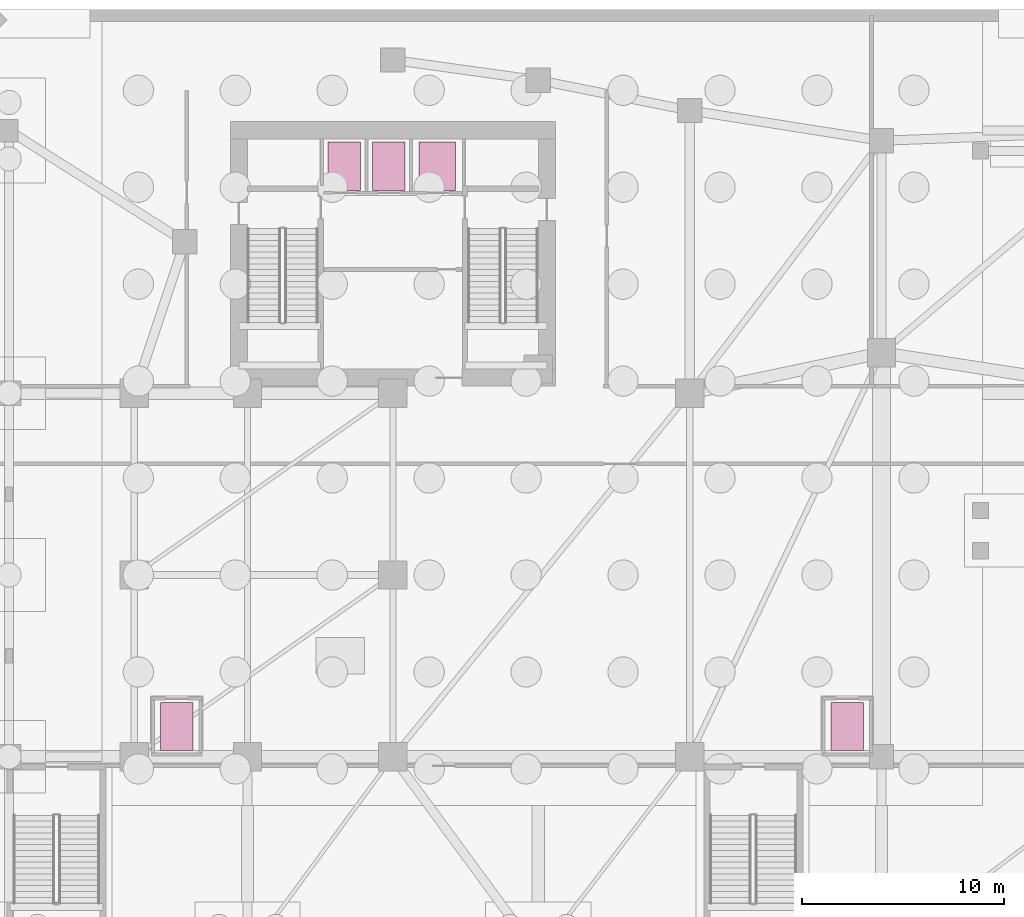
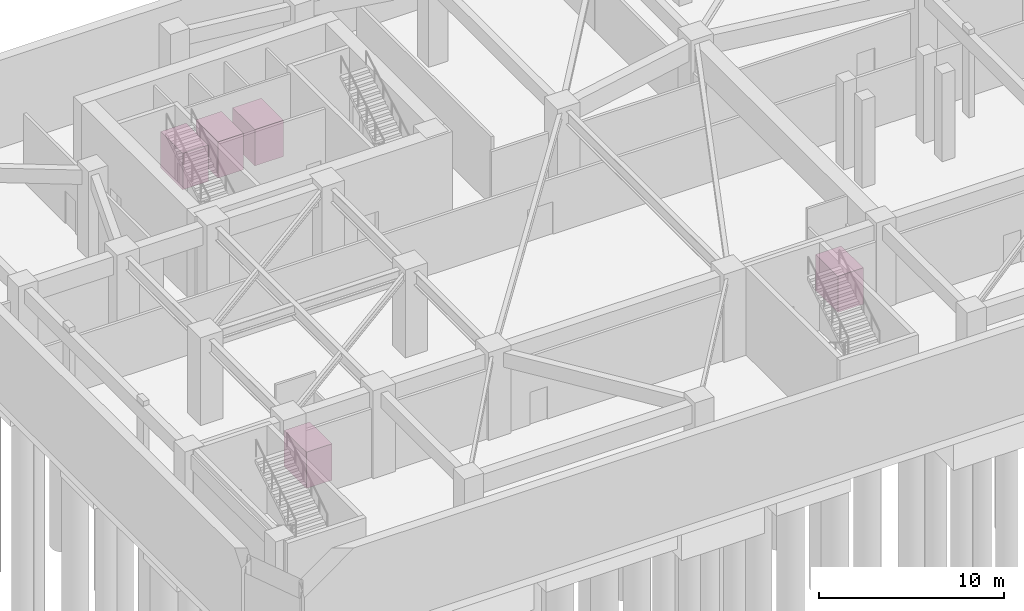
# One storey, part 9 of 9: 5 transport elements.
"""IFC4 building model written with IfcOpenShell, lengths in metres."""

from ifc_helpers import new_model, si_unit, direction, frame, origin, origin_2d, place, context, subcontext, project, spatial, rectangle, extrude, source, transform, mapped, material, type_object, element, save


model = new_model("IFC4")

# Units and contexts
model_context = context("Model", 3, precision=1e-05, world=origin(), true_north=direction((0.0, 1.0)))
body_context = subcontext(model_context, "Body", "Model", "MODEL_VIEW")
ifc_project = project(units=[si_unit("LENGTHUNIT", "METRE"), si_unit("AREAUNIT", "SQUARE_METRE"), si_unit("VOLUMEUNIT", "CUBIC_METRE"), si_unit("PLANEANGLEUNIT", "RADIAN"), si_unit("MASSUNIT", "GRAM", prefix="KILO")], contexts=[model_context])

# Site, building, storey
site_placement = place(None, origin())
site = spatial("IfcSite", under=ifc_project, at=site_placement, CompositionType="ELEMENT")
building_placement = place(site_placement, origin())
building = spatial("IfcBuilding", under=site, at=building_placement, Name="Calvemar Wedge Station Tower", CompositionType="ELEMENT")
storey_placement = place(building_placement, frame((0.0, 0.0, -11.199951171875)))
storey = spatial("IfcBuildingStorey", under=building, at=storey_placement, Name="B02", CompositionType="ELEMENT", Elevation=-11.199951171875)

# Transport elements
ifc_material = material(Name="Anodised aluminium 6063-T6", Category="aluminium")
transport_element_type_1 = type_object("IfcTransportElementType", Name="LIFT-FF-1600x2400", PredefinedType="ELEVATOR", material=ifc_material)
shared_shape_1 = source(origin(), body_context, "Body", "SweptSolid", [
    extrude(rectangle(XDim=1.60009765625, YDim=2.39990234375, at=origin_2d()), origin(), (0.0, 0.0, 1.0), 2.39990234375),
])
for number, where, z_axis, x_axis, name in (
    (1, (21.39990234375, 44.25, 0.0), (0.0, 0.0, 1.0), (1.0, 0.0, 0.0), "Firefighting Lift FF-01 Car"),
    (2, (23.60009765625, 44.25, 0.0), (0.0, 0.0, 1.0), (1.0, 0.0, 0.0), "Firefighting Lift FF-02 Car"),
    (3, (13.10009765625, 16.5, 0.0), (0.0, 0.0, 1.0), (1.0, 0.0, 0.0), "Elevator SL-01 Car"),
    (4, (46.300048828125, 16.5, 0.0), (0.0, 0.0, 1.0), (1.0, 0.0, 0.0), "Elevator SL-02 Car"),
):
    element("IfcTransportElement", number, at=place(storey_placement, frame(where, z_axis=z_axis, x_axis=x_axis)), inside=storey, type_object=transport_element_type_1, Name=name, PredefinedType="ELEVATOR", context=body_context, shape_type="MappedRepresentation", body=[
        mapped(shared_shape_1, transform((0.0, 0.0, 0.0), scale=1.0)),
    ])
transport_element_type_2 = type_object("IfcTransportElementType", Name="LIFT-SV-1800x2400", PredefinedType="ELEVATOR", material=ifc_material)
shared_shape_2 = source(origin(), body_context, "Body", "SweptSolid", [
    extrude(rectangle(XDim=1.800048828125, YDim=2.39990234375, at=origin_2d()), origin(), (0.0, 0.0, 1.0), 2.39990234375),
])
transport_element_placement = place(storey_placement, frame((26.0, 44.25, 0.0), z_axis=(0.0, 0.0, 1.0), x_axis=(1.0, 0.0, 0.0)))
element("IfcTransportElement", 5, at=transport_element_placement, inside=storey, type_object=transport_element_type_2, Name="Elevator SV-01 Car", PredefinedType="ELEVATOR", context=body_context, shape_type="MappedRepresentation", body=[
    mapped(shared_shape_2, transform((0.0, 0.0, 0.0), scale=1.0)),
])

save(model, "model.ifc")
